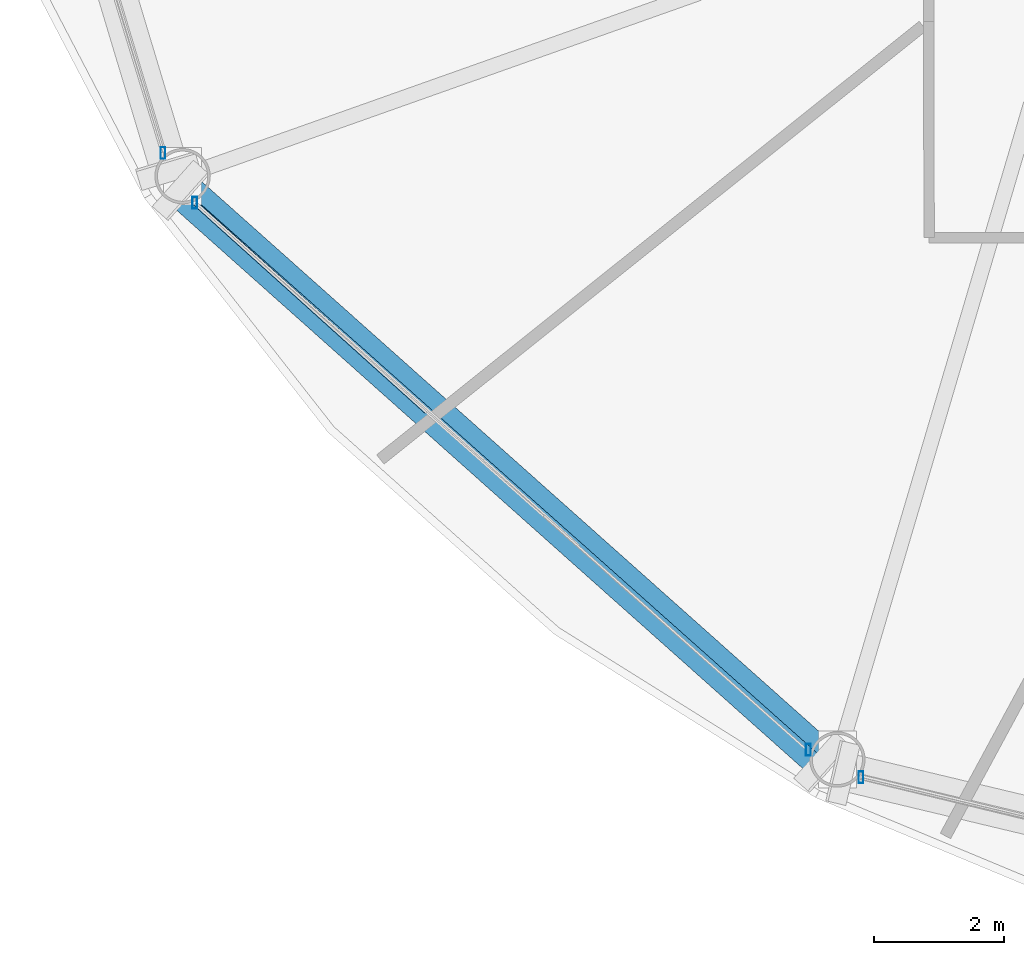
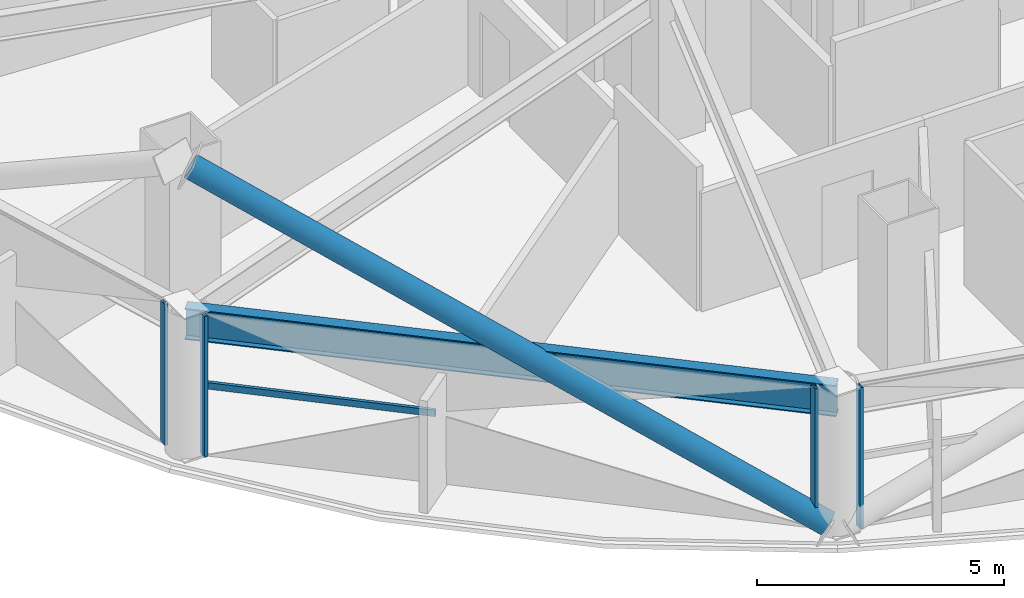
# One storey, part 2 of 30: 6 members, 1 beam, 3 elements without a shape of their own.
"""IFC4 building model written with IfcOpenShell, lengths in metres."""

import ifcopenshell
import ifcopenshell.guid

model = None  # the IFC model being written
_history = None  # IfcOwnerHistory: only IFC2X3 demands one
_inside = {}  # id of a spatial element -> (the spatial element, [elements in it])
_under = {}  # id of a project, library or spatial element -> (it, [spatial elements below it])
_declared = {}  # id of a project -> (the project, [libraries it declares])
_typed = {}  # id of a type object -> (the type object, [elements of that type])
_made_of = {}  # id of a material, layer set ... -> (it, [elements and type objects made of it])


def new_model(schema):
    """Start an empty IFC model of exactly this schema.

    Asked for "IFC4X3", IfcOpenShell would pick the latest addendum, in which some entities
    have other attributes; the version numbers below select the first issue.
    IFC2X3 requires an IfcOwnerHistory on every rooted entity: one is made here for all.
    """
    global model, _history
    if schema == "IFC4X3":
        model = ifcopenshell.file(schema_version=(4, 3, 0, 0))
    else:
        model = ifcopenshell.file(schema=schema)
    _inside.clear()
    _under.clear()
    _declared.clear()
    _typed.clear()
    _made_of.clear()
    _history = None
    if model.schema == "IFC2X3":
        org = make("IfcOrganization", Name="unknown")
        user = make(
            "IfcPersonAndOrganization",
            ThePerson=make("IfcPerson", FamilyName="unknown"),
            TheOrganization=org,
        )
        app = make(
            "IfcApplication",
            ApplicationDeveloper=org,
            Version="unknown",
            ApplicationFullName="unknown",
            ApplicationIdentifier="unknown",
        )
        _history = make(
            "IfcOwnerHistory",
            OwningUser=user,
            OwningApplication=app,
            ChangeAction="ADDED",
            CreationDate=0,
        )
    return model


def make(cls, **values):
    """One entity of the class cls with the attributes given. An attribute that is None is left unset."""
    return model.create_entity(
        cls, **{name: value for name, value in values.items() if value is not None}
    )


def rooted(cls, **values):
    """An entity with a GlobalId (a new one), such as an element, a storey or a relation."""
    return make(cls, GlobalId=ifcopenshell.guid.new(), OwnerHistory=_history, **values)


def si_unit(unit_type, name, prefix=None):
    """IfcSIUnit, for example si_unit("LENGTHUNIT", "METRE", prefix="MILLI")."""
    return make("IfcSIUnit", UnitType=unit_type, Prefix=prefix, Name=name)


def assignment(units):
    """IfcUnitAssignment: the units of a project."""
    return None if units is None else make("IfcUnitAssignment", Units=units)


def point(xyz):
    """IfcCartesianPoint."""
    return None if xyz is None else make("IfcCartesianPoint", Coordinates=xyz)


def direction(xyz):
    """IfcDirection."""
    return None if xyz is None else make("IfcDirection", DirectionRatios=xyz)


def frame(location, z_axis=None, x_axis=None):
    """IfcAxis2Placement3D, a coordinate frame: its origin and axes. An axis left out is left unset."""
    return make(
        "IfcAxis2Placement3D",
        Location=point(location),
        Axis=direction(z_axis),
        RefDirection=direction(x_axis),
    )


def frame_2d(location, x_axis=None):
    """IfcAxis2Placement2D, a coordinate frame in the plane: its origin and x axis."""
    return make(
        "IfcAxis2Placement2D", Location=point(location), RefDirection=direction(x_axis)
    )


def origin():
    """The frame at (0, 0, 0) with its axes left unset."""
    return frame((0.0, 0.0, 0.0))


def origin_2d():
    """The frame at (0, 0) in the plane with its x axis left unset."""
    return frame_2d((0.0, 0.0))


def place(relative_to, where):
    """IfcLocalPlacement: puts the frame where relative to a parent placement (None: the world)."""
    return make(
        "IfcLocalPlacement", PlacementRelTo=relative_to, RelativePlacement=where
    )


def context(
    kind, dimensions, precision=None, world=None, true_north=None, identifier=None
):
    """IfcGeometricRepresentationContext, for example the 3D "Model" context."""
    return make(
        "IfcGeometricRepresentationContext",
        ContextIdentifier=identifier,
        ContextType=kind,
        CoordinateSpaceDimension=dimensions,
        Precision=precision,
        WorldCoordinateSystem=world,
        TrueNorth=true_north,
    )


def subcontext(parent, identifier, kind, view, scale=None):
    """IfcGeometricRepresentationSubContext, for example "Body" below "Model"."""
    return make(
        "IfcGeometricRepresentationSubContext",
        ContextIdentifier=identifier,
        ContextType=kind,
        ParentContext=parent,
        TargetScale=scale,
        TargetView=view,
    )


def project(units=None, contexts=None):
    """IfcProject with its units and contexts."""
    return rooted(
        "IfcProject",
        Name="project",
        RepresentationContexts=contexts,
        UnitsInContext=assignment(units),
    )


def spatial(cls, under=None, at=None, **own):
    """A site, building, storey or space (cls), placed at a placement, below another one or the project."""
    s = rooted(cls, ObjectPlacement=at, **own)
    if under is not None:
        _under.setdefault(under.id(), (under, []))[1].append(s)
    return s


def profile(cls, at=None, kind="AREA", **sizes):
    """A parametric profile (cls). Its sizes go by their IFC names, for example OverallWidth=200.0."""
    return make(cls, ProfileType=kind, Position=at, **sizes)


def hollow_rectangle(**sizes):
    """IfcRectangleHollowProfileDef."""
    return profile("IfcRectangleHollowProfileDef", **sizes)


def hollow_circle(**sizes):
    """IfcCircleHollowProfileDef."""
    return profile("IfcCircleHollowProfileDef", **sizes)


def i_section(**sizes):
    """IfcIShapeProfileDef."""
    return profile("IfcIShapeProfileDef", **sizes)


def extrude(swept, where, along, depth):
    """IfcExtrudedAreaSolid: the profile swept, set in the frame where, extruded along a direction by depth."""
    return make(
        "IfcExtrudedAreaSolid",
        SweptArea=swept,
        Position=where,
        ExtrudedDirection=direction(along),
        Depth=depth,
    )


def shape(context_of_items, identifier, shape_type, items):
    """IfcShapeRepresentation: the items that make up one representation, for example the "Body"."""
    return make(
        "IfcShapeRepresentation",
        ContextOfItems=context_of_items,
        RepresentationIdentifier=identifier,
        RepresentationType=shape_type,
        Items=items,
    )


def material(Name=None, Category=None):
    """IfcMaterial."""
    return make("IfcMaterial", Name=Name, Category=Category)


def layer(
    of_material, thickness, ventilated=None, Name=None, Category=None, Priority=None
):
    """IfcMaterialLayer: one layer of a wall or slab, of a material (None: an air gap)."""
    return make(
        "IfcMaterialLayer",
        Material=of_material,
        LayerThickness=thickness,
        IsVentilated=ventilated,
        Name=Name,
        Category=Category,
        Priority=Priority,
    )


def layer_set(layers, Name=None):
    """IfcMaterialLayerSet."""
    return make("IfcMaterialLayerSet", MaterialLayers=layers, LayerSetName=Name)


def material_profile(
    of_material, cross_section, Name=None, Category=None, Priority=None
):
    """IfcMaterialProfile: a cross section and its material."""
    return make(
        "IfcMaterialProfile",
        Name=Name,
        Material=of_material,
        Profile=cross_section,
        Priority=Priority,
        Category=Category,
    )


def profile_set(profiles, Name=None, composite=None):
    """IfcMaterialProfileSet."""
    return make(
        "IfcMaterialProfileSet",
        Name=Name,
        MaterialProfiles=profiles,
        CompositeProfile=composite,
    )


def made_of(thing, what):
    """Note that an element or type object is made of a material, layer set ...; save() writes the relation."""
    if what is not None:
        _made_of.setdefault(what.id(), (what, []))[1].append(thing)
    return thing


def type_object(cls, material=None, **own):
    """A type object (cls), such as IfcWallType, which elements share."""
    return made_of(rooted(cls, **own), material)


def element(
    cls,
    number,
    at=None,
    inside=None,
    cuts=None,
    type_object=None,
    material=None,
    context=None,
    identifier="Body",
    shape_type=None,
    held_by="IfcProductDefinitionShape",
    body=None,
    shapes=None,
    **own,
):
    """One element of the class cls, such as IfcWall. Its Tag is "e" and its number.

    at: its placement. inside: the storey or other place that contains it. cuts: it is an
    opening in that element (IfcRelVoidsElement). A single representation is given by context,
    identifier, shape_type and body (its items); several are given by shapes. held_by: the class
    of the entity that holds the representations. save() writes the other relations.
    """
    e = rooted(cls, Tag="e%d" % number, ObjectPlacement=at, **own)
    if body is not None:
        shapes = [shape(context, identifier, shape_type, body)]
    if shapes is not None:
        e.Representation = make(held_by, Representations=shapes)
    if inside is not None:
        _inside.setdefault(inside.id(), (inside, []))[1].append(e)
    if cuts is not None:
        rooted(
            "IfcRelVoidsElement", RelatingBuildingElement=cuts, RelatedOpeningElement=e
        )
    if type_object is not None:
        _typed.setdefault(type_object.id(), (type_object, []))[1].append(e)
    return made_of(e, material)


def aggregate(whole, parts):
    """IfcRelAggregates: a whole, such as a stair, and the parts it consists of."""
    return rooted("IfcRelAggregates", RelatingObject=whole, RelatedObjects=parts)


def save(model, path):
    """Write the relations noted so far, then the file.

    IfcRelAggregates (storeys below a building ...), IfcRelContainedInSpatialStructure (elements
    in a storey), IfcRelDefinesByType, IfcRelAssociatesMaterial and IfcRelDeclares: one each for
    every whole, place, type object, material and project.
    """
    for whole, parts in _under.values():
        aggregate(whole, parts)
    for where, things in _inside.values():
        rooted(
            "IfcRelContainedInSpatialStructure",
            RelatedElements=things,
            RelatingStructure=where,
        )
    for kind, things in _typed.values():
        rooted("IfcRelDefinesByType", RelatedObjects=things, RelatingType=kind)
    for what, things in _made_of.values():
        rooted("IfcRelAssociatesMaterial", RelatedObjects=things, RelatingMaterial=what)
    for by, libraries in _declared.values():
        rooted("IfcRelDeclares", RelatingContext=by, RelatedDefinitions=libraries)
    model.write(path)


model = new_model("IFC4")

# Units and contexts
model_context = context("Model", 3, precision=1e-05, world=origin(), true_north=direction((0.0, 1.0)))
body_context = subcontext(model_context, "Body", "Model", "MODEL_VIEW")
ifc_project = project(units=[si_unit("LENGTHUNIT", "METRE"), si_unit("AREAUNIT", "SQUARE_METRE"), si_unit("VOLUMEUNIT", "CUBIC_METRE"), si_unit("PLANEANGLEUNIT", "RADIAN"), si_unit("MASSUNIT", "GRAM", prefix="KILO")], contexts=[model_context])

# Site, building, storey
site_placement = place(None, origin())
site = spatial("IfcSite", under=ifc_project, at=site_placement, CompositionType="ELEMENT")
building_placement = place(site_placement, origin())
building = spatial("IfcBuilding", under=site, at=building_placement, Name="Vantalir Tower", CompositionType="ELEMENT")
storey_placement = place(building_placement, frame((0.0, 0.0, 57.0)))
storey = spatial("IfcBuildingStorey", under=building, at=storey_placement, Name="L13", CompositionType="ELEMENT", Elevation=57.0)

# Beam
ifc_material_1 = material(Name="Steel S460", Category="steel")
ifc_material_profile_1 = material_profile(ifc_material_1, i_section(OverallWidth=0.26806640625, OverallDepth=0.77001953125, WebThickness=0.015625, FlangeThickness=0.025390625, at=origin_2d()), Name="Steel S460")
ifc_profile_set_1 = profile_set([ifc_material_profile_1], Name="Steel S460")
beam_type = type_object("IfcBeamType", Name="BM-RG-762x267", PredefinedType="USERDEFINED", material=ifc_profile_set_1)
beam_placement = place(storey_placement, frame((7.72705078125, 12.77392578125, 3.18505859375), z_axis=(0.746729154428, -0.665128235701, 0.0), x_axis=(0.665128235701, 0.746729154428, 0.0)))
element("IfcBeam", 1, at=beam_placement, inside=storey, type_object=beam_type, Name="L13 Circumferential Ring Girder 08", ObjectType="GIRDER", PredefinedType="USERDEFINED", context=body_context, shape_type="SweptSolid", body=[
    extrude(i_section(OverallWidth=0.26806640625, OverallDepth=0.77001953125, WebThickness=0.015625, FlangeThickness=0.025390625, at=origin_2d()), origin(), (0.0, 0.0, 1.0), 13.45458984375),
])

# Curtain wall, member
ifc_material_2 = material(Name="Champagne-silver PVDF aluminium and double-silver Low-E glass", Category="aluminium")
ifc_layer = layer(ifc_material_2, 0.18994140625)
ifc_layer_set = layer_set([ifc_layer], Name="Champagne-silver PVDF aluminium and double-silver Low-E glass")
curtain_wall_type = type_object("IfcCurtainWallType", Name="CW-DIAMOND-Z1", PredefinedType="USERDEFINED", material=ifc_layer_set)
curtain_wall_1_placement = place(storey_placement, origin())
curtain_wall_1 = element("IfcCurtainWall", 2, at=curtain_wall_1_placement, inside=storey, type_object=curtain_wall_type, Name="L13 Quilted Pyramid-Diamond Curtain Wall S07", ObjectType="UNITISED CURTAIN WALL", PredefinedType="USERDEFINED")
ifc_material_3 = material(Name="Champagne-silver PVDF aluminium 6063-T6", Category="aluminium")
ifc_material_profile_2 = material_profile(ifc_material_3, hollow_rectangle(XDim=0.074951171875, YDim=0.179931640625, WallThickness=0.00390625, at=origin_2d()), Name="Champagne-silver PVDF aluminium 6063-T6")
ifc_profile_set_2 = profile_set([ifc_material_profile_2], Name="Champagne-silver PVDF aluminium 6063-T6")
member_type_1 = type_object("IfcMemberType", Name="CWM-180x75", PredefinedType="MULLION", material=ifc_profile_set_2)
member_1_placement = place(storey_placement, frame((7.427001953125, 13.12890625, 0.044921875), z_axis=(0.0, 0.0, 1.0), x_axis=(1.0, 0.0, 0.0)))
member_1 = element("IfcMember", 3, at=member_1_placement, type_object=member_type_1, Name="CW-L13-S07 Mullion 2", PredefinedType="MULLION", context=body_context, shape_type="SweptSolid", body=[
    extrude(hollow_rectangle(XDim=0.074951171875, YDim=0.179931640625, WallThickness=0.00390625, at=origin_2d()), origin(), (0.0, 0.0, 1.0), 3.47998046875),
])
aggregate(curtain_wall_1, [member_1])

# Curtain wall, members
curtain_wall_2_placement = place(storey_placement, origin())
curtain_wall_2 = element("IfcCurtainWall", 4, at=curtain_wall_2_placement, inside=storey, type_object=curtain_wall_type, Name="L13 Quilted Pyramid-Diamond Curtain Wall S08", ObjectType="UNITISED CURTAIN WALL", PredefinedType="USERDEFINED")
member_2_placement = place(storey_placement, frame((7.9130859375, 12.365966796875, 0.044921875), z_axis=(0.0, 0.0, 1.0), x_axis=(1.0, 0.0, 0.0)))
member_2 = element("IfcMember", 5, at=member_2_placement, type_object=member_type_1, Name="CW-L13-S08 Mullion 1", PredefinedType="MULLION", context=body_context, shape_type="SweptSolid", body=[
    extrude(hollow_rectangle(XDim=0.074951171875, YDim=0.179931640625, WallThickness=0.00390625, at=origin_2d()), origin(), (0.0, 0.0, 1.0), 3.47998046875),
])
member_3_placement = place(storey_placement, frame((17.327880859375, 3.972900390625, 0.044921875), z_axis=(0.0, 0.0, 1.0), x_axis=(1.0, 0.0, 0.0)))
member_3 = element("IfcMember", 6, at=member_3_placement, type_object=member_type_1, Name="CW-L13-S08 Mullion 2", PredefinedType="MULLION", context=body_context, shape_type="SweptSolid", body=[
    extrude(hollow_rectangle(XDim=0.074951171875, YDim=0.179931640625, WallThickness=0.00390625, at=origin_2d()), origin(), (0.0, 0.0, 1.0), 3.47998046875),
])

# Curtain wall, member
curtain_wall_3_placement = place(storey_placement, origin())
curtain_wall_3 = element("IfcCurtainWall", 7, at=curtain_wall_3_placement, inside=storey, type_object=curtain_wall_type, Name="L13 Quilted Pyramid-Diamond Curtain Wall S09", ObjectType="UNITISED CURTAIN WALL", PredefinedType="USERDEFINED")
member_4_placement = place(storey_placement, frame((18.135986328125, 3.551025390625, 0.044921875), z_axis=(0.0, 0.0, 1.0), x_axis=(1.0, 0.0, 0.0)))
member_4 = element("IfcMember", 8, at=member_4_placement, type_object=member_type_1, Name="CW-L13-S09 Mullion 1", PredefinedType="MULLION", context=body_context, shape_type="SweptSolid", body=[
    extrude(hollow_rectangle(XDim=0.074951171875, YDim=0.179931640625, WallThickness=0.00390625, at=origin_2d()), origin(), (0.0, 0.0, 1.0), 3.47998046875),
])
aggregate(curtain_wall_3, [member_4])

# Member
ifc_material_profile_3 = material_profile(ifc_material_3, hollow_rectangle(XDim=0.074951171875, YDim=0.159912109375, WallThickness=0.00390625, at=origin_2d()), Name="Champagne-silver PVDF aluminium 6063-T6")
ifc_profile_set_3 = profile_set([ifc_material_profile_3], Name="Champagne-silver PVDF aluminium 6063-T6")
member_type_2 = type_object("IfcMemberType", Name="CWT-160x75", PredefinedType="USERDEFINED", material=ifc_profile_set_3)
member_5_placement = place(storey_placement, frame((7.9130859375, 12.365966796875, 1.784912109375), z_axis=(0.743200338818, -0.669068947404, 0.0), x_axis=(0.669068947404, 0.743200338818, 0.0)))
member_5 = element("IfcMember", 9, at=member_5_placement, type_object=member_type_2, Name="CW-L13-S08 Pyramid Fold Ridge Transom", ObjectType="TRANSOM", PredefinedType="USERDEFINED", context=body_context, shape_type="SweptSolid", body=[
    extrude(hollow_rectangle(XDim=0.074951171875, YDim=0.159912109375, WallThickness=0.00390625, at=origin_2d()), origin(), (0.0, 0.0, 1.0), 4.78857421875),
])

aggregate(curtain_wall_2, [member_2, member_3, member_5])

ifc_material_profile_4 = material_profile(ifc_material_1, hollow_circle(Radius=0.27001953125, WallThickness=0.044921875, at=origin_2d()), Name="Steel S460")
ifc_profile_set_4 = profile_set([ifc_material_profile_4], Name="Steel S460")
member_type_3 = type_object("IfcMemberType", Name="MEM-DB-540x45", PredefinedType="BRACE", material=ifc_profile_set_4)
member_6_placement = place(storey_placement, frame((17.533935546875, 3.7890625, 0.18310546875), z_axis=(-0.660015885507, 0.588424388249, 0.467050072468), x_axis=(-0.665464652768, -0.746429364318, 0.0)))
element("IfcMember", 10, at=member_6_placement, inside=storey, type_object=member_type_3, Name="L13 Perimeter S460 Diagrid Brace R25R", PredefinedType="BRACE", context=body_context, shape_type="SweptSolid", body=[
    extrude(hollow_circle(Radius=0.27001953125, WallThickness=0.044921875, at=origin_2d()), origin(), (0.0, 0.0, 1.0), 14.888916015625),
])

save(model, "model.ifc")
